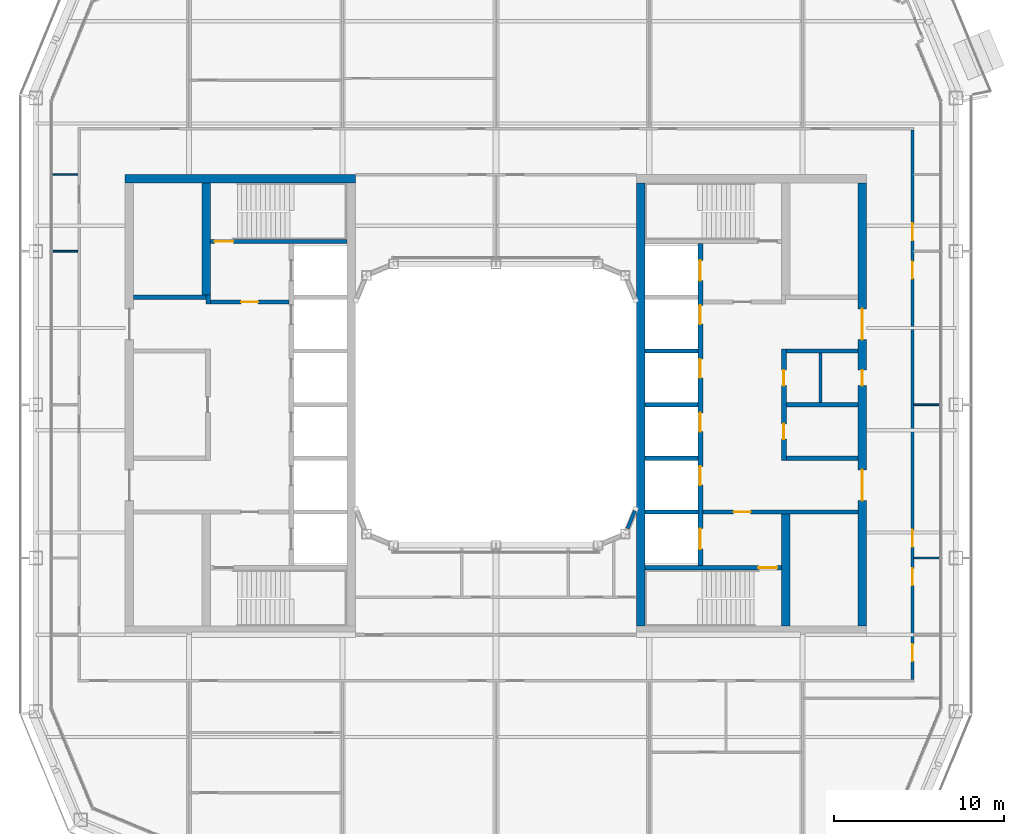
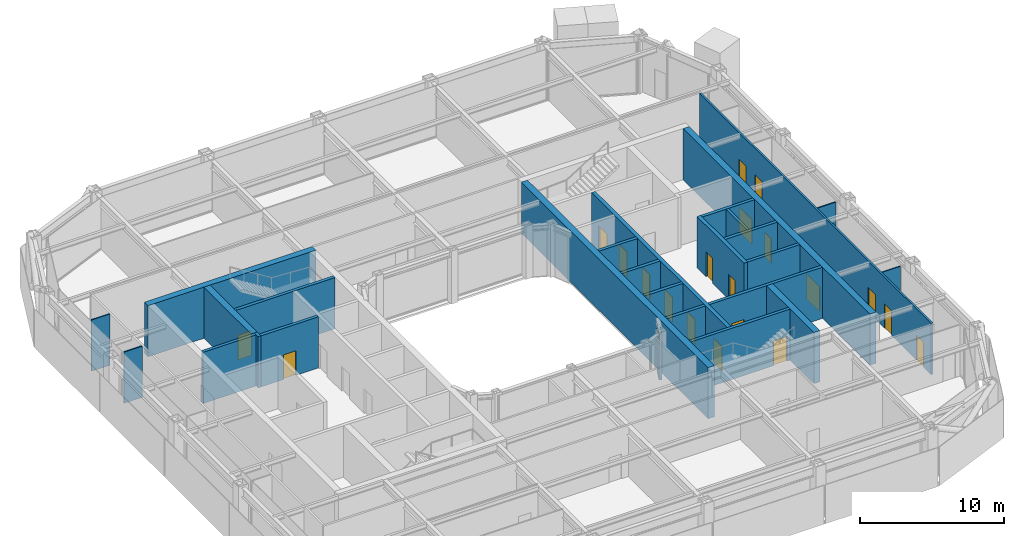
# One storey, part 14 of 23: 27 walls, 20 doors, 20 openings.
"""IFC4 building model written with IfcOpenShell, lengths in metres."""

from ifc_helpers import new_model, si_unit, direction, frame, frame_2d, origin, place, context, subcontext, project, spatial, rectangle, extrude, material, layer, layer_set, type_object, element, fill, save


model = new_model("IFC4")

# Units and contexts
model_context = context("Model", 3, precision=1e-05, world=origin(), true_north=direction((0.0, 1.0)))
body_context = subcontext(model_context, "Body", "Model", "MODEL_VIEW")
ifc_project = project(units=[si_unit("LENGTHUNIT", "METRE"), si_unit("AREAUNIT", "SQUARE_METRE"), si_unit("VOLUMEUNIT", "CUBIC_METRE"), si_unit("PLANEANGLEUNIT", "RADIAN"), si_unit("MASSUNIT", "GRAM", prefix="KILO")], contexts=[model_context])

# Site, building, storey
site_placement = place(None, origin())
site = spatial("IfcSite", under=ifc_project, at=site_placement, CompositionType="ELEMENT")
building_placement = place(site_placement, origin())
building = spatial("IfcBuilding", under=site, at=building_placement, Name="Siwar Civic Tower", CompositionType="ELEMENT")
storey_placement = place(building_placement, frame((0.0, 0.0, 260.199951171875)))
storey = spatial("IfcBuildingStorey", under=building, at=storey_placement, Name="L56", CompositionType="ELEMENT", Elevation=260.199951171875)

# Wall
ifc_material_1 = material(Name="Gypsum board on steel studs", Category="steel")
ifc_layer_1 = layer(ifc_material_1, 0.199951171875)
ifc_layer_set_1 = layer_set([ifc_layer_1], Name="Gypsum board on steel studs")
wall_type_1 = type_object("IfcWallType", Name="CORE-PARTITION-200", PredefinedType="PARTITIONING", material=ifc_layer_set_1)
wall_1_placement = place(storey_placement, frame((19.050048828125, 0.125, 0.0), z_axis=(0.0, 0.0, 1.0), x_axis=(0.0, 1.0, 0.0)))
element("IfcWall", 1, at=wall_1_placement, inside=storey, type_object=wall_type_1, Name="Core partition E", PredefinedType="PARTITIONING", context=body_context, shape_type="SweptSolid", body=[
    extrude(rectangle(XDim=2.89990234375, YDim=0.199951171875, at=frame_2d((1.449951171875, 0.0))), origin(), (0.0, 0.0, 1.0), 4.35009765625),
])

# Wall, opening, door
ifc_material_2 = material(Name="Concrete C60/75", Category="concrete")
ifc_layer_2 = layer(ifc_material_2, 0.25)
ifc_layer_set_2 = layer_set([ifc_layer_2], Name="Concrete C60/75")
wall_type_2 = type_object("IfcWallType", Name="CORE-WALL-RC250", PredefinedType="SHEAR", material=ifc_layer_set_2)
wall_2_placement = place(storey_placement, frame((-12.14990234375, 6.02490234375, 0.0), z_axis=(0.0, 0.0, 1.0), x_axis=(-1.0, 0.0, 0.0)))
wall_2 = element("IfcWall", 2, at=wall_2_placement, inside=storey, type_object=wall_type_2, Name="Core wall W", PredefinedType="SHEAR", context=body_context, shape_type="SweptSolid", body=[
    extrude(rectangle(XDim=4.60009765625, YDim=0.25, at=frame_2d((2.300048828125, 0.0))), origin(), (0.0, 0.0, 1.0), 4.35009765625),
])
opening_1_placement = place(wall_2_placement, frame((1.800048828125, 0.0, 0.0)))
opening_1 = element("IfcOpeningElement", 3, at=opening_1_placement, cuts=wall_2, Name="Opening L56-CW01", PredefinedType="OPENING", context=body_context, shape_type="SweptSolid", body=[
    extrude(rectangle(XDim=1.0, YDim=2.10009765625, at=frame_2d((0.5, 1.050048828125))), frame((0.0, 0.135009765625, 0.0), z_axis=(0.0, -1.0, 0.0), x_axis=(1.0, 0.0, 0.0)), (0.0, 0.0, 1.0), 0.27001953125),
])
ifc_material_3 = material(Name="Steel door leaf", Category="steel")
door_type_1 = type_object("IfcDoorType", Name="CORE-DOOR-FD30S", OperationType="SINGLE_SWING_LEFT", PredefinedType="DOOR", material=ifc_material_3)
door_1_placement = place(opening_1_placement, origin())
door_1 = element("IfcDoor", 4, at=door_1_placement, inside=storey, type_object=door_type_1, Name="Firefighting lobby door L56-CW01", OperationType="SINGLE_SWING_LEFT", OverallHeight=2.10009765625, OverallWidth=1.0, PredefinedType="DOOR", context=body_context, shape_type="SweptSolid", body=[
    extrude(rectangle(XDim=1.0, YDim=2.10009765625, at=frame_2d((0.5, 1.050048828125))), frame((0.0, 0.02490234375, 0.0), z_axis=(0.0, -1.0, 0.0), x_axis=(1.0, 0.0, 0.0)), (0.0, 0.0, 1.0), 0.050048828125),
])
fill(opening_1, door_1)

# Walls
wall_3_placement = place(storey_placement, frame((-16.875, 5.89990234375, 0.0), z_axis=(0.0, 0.0, 1.0), x_axis=(0.0, 1.0, 0.0)))
element("IfcWall", 5, at=wall_3_placement, inside=storey, type_object=wall_type_2, Name="Core wall W", PredefinedType="SHEAR", context=body_context, shape_type="SweptSolid", body=[
    extrude(rectangle(XDim=0.525146484375, YDim=0.25, at=frame_2d((0.2626953125, 0.0))), origin(), (0.0, 0.0, 1.0), 4.35009765625),
])
wall_4_placement = place(storey_placement, frame((-17.0, 6.300048828125, 0.0), z_axis=(0.0, 0.0, 1.0), x_axis=(-1.0, 0.0, 0.0)))
element("IfcWall", 6, at=wall_4_placement, inside=storey, type_object=wall_type_2, Name="Core wall W", PredefinedType="SHEAR", context=body_context, shape_type="SweptSolid", body=[
    extrude(rectangle(XDim=4.25, YDim=0.25, at=frame_2d((2.125, 0.0))), origin(), (0.0, 0.0, 1.0), 4.35009765625),
])

# Wall, opening, door
wall_5_placement = place(storey_placement, frame((-8.75, 9.574951171875, 0.0), z_axis=(0.0, 0.0, 1.0), x_axis=(-1.0, 0.0, 0.0)))
wall_5 = element("IfcWall", 7, at=wall_5_placement, inside=storey, type_object=wall_type_2, Name="Core wall W", PredefinedType="SHEAR", context=body_context, shape_type="SweptSolid", body=[
    extrude(rectangle(XDim=8.0, YDim=0.25, at=frame_2d((4.0, 0.0))), origin(), (0.0, 0.0, 1.0), 4.35009765625),
])
opening_2_placement = place(wall_5_placement, frame((6.64990234375, 0.0, 0.0)))
opening_2 = element("IfcOpeningElement", 8, at=opening_2_placement, cuts=wall_5, Name="Opening L56-CW03", PredefinedType="OPENING", context=body_context, shape_type="SweptSolid", body=[
    extrude(rectangle(XDim=1.10009765625, YDim=2.10009765625, at=frame_2d((0.550048828125, 1.050048828125))), frame((0.0, 0.135009765625, 0.0), z_axis=(0.0, -1.0, 0.0), x_axis=(1.0, 0.0, 0.0)), (0.0, 0.0, 1.0), 0.27001953125),
])
ifc_material_4 = material(Name="Steel door leaf", Category="steel")
door_type_2 = type_object("IfcDoorType", Name="CORE-DOOR-FD60S", OperationType="SINGLE_SWING_LEFT", PredefinedType="DOOR", material=ifc_material_4)
door_2_placement = place(opening_2_placement, origin())
door_2 = element("IfcDoor", 9, at=door_2_placement, inside=storey, type_object=door_type_2, Name="Stair door L56-CW03", OperationType="SINGLE_SWING_RIGHT", OverallHeight=2.10009765625, OverallWidth=1.10009765625, PredefinedType="DOOR", context=body_context, shape_type="SweptSolid", body=[
    extrude(rectangle(XDim=1.10009765625, YDim=2.10009765625, at=frame_2d((0.550048828125, 1.050048828125))), frame((0.0, 0.02490234375, 0.0), z_axis=(0.0, -1.0, 0.0), x_axis=(1.0, 0.0, 0.0)), (0.0, 0.0, 1.0), 0.050048828125),
])
fill(opening_2, door_2)

wall_6_placement = place(storey_placement, frame((12.14990234375, -6.300048828125, 0.0), z_axis=(0.0, 0.0, 1.0), x_axis=(1.0, 0.0, 0.0)))
wall_6 = element("IfcWall", 10, at=wall_6_placement, inside=storey, type_object=wall_type_2, Name="Core wall E", PredefinedType="SHEAR", context=body_context, shape_type="SweptSolid", body=[
    extrude(rectangle(XDim=9.10009765625, YDim=0.25, at=frame_2d((4.550048828125, 0.0))), origin(), (0.0, 0.0, 1.0), 4.35009765625),
])
opening_3_placement = place(wall_6_placement, frame((1.800048828125, 0.0, 0.0)))
opening_3 = element("IfcOpeningElement", 11, at=opening_3_placement, cuts=wall_6, Name="Opening L56-CE02", PredefinedType="OPENING", context=body_context, shape_type="SweptSolid", body=[
    extrude(rectangle(XDim=1.0, YDim=2.10009765625, at=frame_2d((0.5, 1.050048828125))), frame((0.0, 0.135009765625, 0.0), z_axis=(0.0, -1.0, 0.0), x_axis=(1.0, 0.0, 0.0)), (0.0, 0.0, 1.0), 0.27001953125),
])
door_3_placement = place(opening_3_placement, origin())
door_3 = element("IfcDoor", 12, at=door_3_placement, inside=storey, type_object=door_type_1, Name="Service lobby door L56-CE02", OperationType="SINGLE_SWING_LEFT", OverallHeight=2.10009765625, OverallWidth=1.0, PredefinedType="DOOR", context=body_context, shape_type="SweptSolid", body=[
    extrude(rectangle(XDim=1.0, YDim=2.10009765625, at=frame_2d((0.5, 1.050048828125))), frame((0.0, 0.02490234375, 0.0), z_axis=(0.0, -1.0, 0.0), x_axis=(1.0, 0.0, 0.0)), (0.0, 0.0, 1.0), 0.050048828125),
])
fill(opening_3, door_3)

# Walls
for number, where, z_axis, x_axis, name in (
    (13, (17.050048828125, 0.0, 0.0), (0.0, 0.0, 1.0), (1.0, 0.0, 0.0), "Core wall E"),
    (14, (17.050048828125, 3.14990234375, 0.0), (0.0, 0.0, 1.0), (1.0, 0.0, 0.0), "Core wall E"),
    (15, (17.050048828125, -3.14990234375, 0.0), (0.0, 0.0, 1.0), (1.0, 0.0, 0.0), "Core wall E"),
):
    element("IfcWall", number, at=place(storey_placement, frame(where, z_axis=z_axis, x_axis=x_axis)), inside=storey, type_object=wall_type_2, Name=name, PredefinedType="SHEAR", context=body_context, shape_type="SweptSolid", body=[
        extrude(rectangle(XDim=4.199951171875, YDim=0.25, at=frame_2d((2.10009765625, 0.0))), origin(), (0.0, 0.0, 1.0), 4.35009765625),
    ])
for number, where, z_axis, x_axis, name in (
    (16, (8.75, 0.0, 0.0), (0.0, 0.0, 1.0), (1.0, 0.0, 0.0), "Core wall E"),
    (17, (8.75, 3.14990234375, 0.0), (0.0, 0.0, 1.0), (1.0, 0.0, 0.0), "Core wall E"),
    (18, (8.75, -3.14990234375, 0.0), (0.0, 0.0, 1.0), (1.0, 0.0, 0.0), "Core wall E"),
    (19, (8.75, -6.300048828125, 0.0), (0.0, 0.0, 1.0), (1.0, 0.0, 0.0), "Core wall E"),
):
    element("IfcWall", number, at=place(storey_placement, frame(where, z_axis=z_axis, x_axis=x_axis)), inside=storey, type_object=wall_type_2, Name=name, PredefinedType="SHEAR", context=body_context, shape_type="SweptSolid", body=[
        extrude(rectangle(XDim=3.10009765625, YDim=0.25, at=frame_2d((1.550048828125, 0.0))), origin(), (0.0, 0.0, 1.0), 4.35009765625),
    ])

# Wall, opening, door
wall_7_placement = place(storey_placement, frame((8.75, -9.574951171875, 0.0), z_axis=(0.0, 0.0, 1.0), x_axis=(1.0, 0.0, 0.0)))
wall_7 = element("IfcWall", 20, at=wall_7_placement, inside=storey, type_object=wall_type_2, Name="Core wall E", PredefinedType="SHEAR", context=body_context, shape_type="SweptSolid", body=[
    extrude(rectangle(XDim=8.0, YDim=0.25, at=frame_2d((4.0, 0.0))), origin(), (0.0, 0.0, 1.0), 4.35009765625),
])
opening_4_placement = place(wall_7_placement, frame((6.64990234375, 0.0, 0.0)))
opening_4 = element("IfcOpeningElement", 21, at=opening_4_placement, cuts=wall_7, Name="Opening L56-CE04", PredefinedType="OPENING", context=body_context, shape_type="SweptSolid", body=[
    extrude(rectangle(XDim=1.10009765625, YDim=2.10009765625, at=frame_2d((0.550048828125, 1.050048828125))), frame((0.0, 0.135009765625, 0.0), z_axis=(0.0, -1.0, 0.0), x_axis=(1.0, 0.0, 0.0)), (0.0, 0.0, 1.0), 0.27001953125),
])
door_4_placement = place(opening_4_placement, origin())
door_4 = element("IfcDoor", 22, at=door_4_placement, inside=storey, type_object=door_type_2, Name="Stair door L56-CE04", OperationType="SINGLE_SWING_RIGHT", OverallHeight=2.10009765625, OverallWidth=1.10009765625, PredefinedType="DOOR", context=body_context, shape_type="SweptSolid", body=[
    extrude(rectangle(XDim=1.10009765625, YDim=2.10009765625, at=frame_2d((0.550048828125, 1.050048828125))), frame((0.0, 0.02490234375, 0.0), z_axis=(0.0, -1.0, 0.0), x_axis=(1.0, 0.0, 0.0)), (0.0, 0.0, 1.0), 0.050048828125),
])
fill(opening_4, door_4)

# Wall, openings, doors
ifc_material_5 = material(Name="Concrete C60/75", Category="concrete")
ifc_layer_3 = layer(ifc_material_5, 0.300048828125)
ifc_layer_set_3 = layer_set([ifc_layer_3], Name="Concrete C60/75")
wall_type_3 = type_object("IfcWallType", Name="CORE-WALL-RC300", PredefinedType="SHEAR", material=ifc_layer_set_3)
wall_8_placement = place(storey_placement, frame((12.0, -9.449951171875, 0.0), z_axis=(0.0, 0.0, 1.0), x_axis=(0.0, 1.0, 0.0)))
wall_8 = element("IfcWall", 23, at=wall_8_placement, inside=storey, type_object=wall_type_3, Name="Core wall E", PredefinedType="SHEAR", context=body_context, shape_type="SweptSolid", body=[
    extrude(rectangle(XDim=18.89990234375, YDim=0.300048828125, at=frame_2d((9.449951171875, 0.0))), origin(), (0.0, 0.0, 1.0), 4.35009765625),
])
opening_5_placement = place(wall_8_placement, frame((4.72509765625, 0.0, 0.0)))
opening_5 = element("IfcOpeningElement", 24, at=opening_5_placement, cuts=wall_8, Name="Opening L56-CE07", PredefinedType="OPENING", context=body_context, shape_type="SweptSolid", body=[
    extrude(rectangle(XDim=1.10009765625, YDim=2.10009765625, at=frame_2d((0.550048828125, 1.050048828125))), frame((0.0, 0.16015625, 0.0), z_axis=(0.0, -1.0, 0.0), x_axis=(1.0, 0.0, 0.0)), (0.0, 0.0, 1.0), 0.320068359375),
])
opening_6_placement = place(wall_8_placement, frame((7.875, 0.0, 0.0)))
opening_6 = element("IfcOpeningElement", 25, at=opening_6_placement, cuts=wall_8, Name="Opening L56-CE08", PredefinedType="OPENING", context=body_context, shape_type="SweptSolid", body=[
    extrude(rectangle(XDim=1.10009765625, YDim=2.10009765625, at=frame_2d((0.550048828125, 1.050048828125))), frame((0.0, 0.16015625, 0.0), z_axis=(0.0, -1.0, 0.0), x_axis=(1.0, 0.0, 0.0)), (0.0, 0.0, 1.0), 0.320068359375),
])
opening_7_placement = place(wall_8_placement, frame((11.02490234375, 0.0, 0.0)))
opening_7 = element("IfcOpeningElement", 26, at=opening_7_placement, cuts=wall_8, Name="Opening L56-CE09", PredefinedType="OPENING", context=body_context, shape_type="SweptSolid", body=[
    extrude(rectangle(XDim=1.10009765625, YDim=2.10009765625, at=frame_2d((0.550048828125, 1.050048828125))), frame((0.0, 0.16015625, 0.0), z_axis=(0.0, -1.0, 0.0), x_axis=(1.0, 0.0, 0.0)), (0.0, 0.0, 1.0), 0.320068359375),
])
opening_8_placement = place(wall_8_placement, frame((14.175048828125, 0.0, 0.0)))
opening_8 = element("IfcOpeningElement", 27, at=opening_8_placement, cuts=wall_8, Name="Opening L56-CE10", PredefinedType="OPENING", context=body_context, shape_type="SweptSolid", body=[
    extrude(rectangle(XDim=1.10009765625, YDim=2.10009765625, at=frame_2d((0.550048828125, 1.050048828125))), frame((0.0, 0.16015625, 0.0), z_axis=(0.0, -1.0, 0.0), x_axis=(1.0, 0.0, 0.0)), (0.0, 0.0, 1.0), 0.320068359375),
])
opening_9_placement = place(wall_8_placement, frame((16.72509765625, 0.0, 0.0)))
opening_9 = element("IfcOpeningElement", 28, at=opening_9_placement, cuts=wall_8, Name="Opening L56-CE11", PredefinedType="OPENING", context=body_context, shape_type="SweptSolid", body=[
    extrude(rectangle(XDim=1.199951171875, YDim=2.10009765625, at=frame_2d((0.60009765625, 1.050048828125))), frame((0.0, 0.16015625, 0.0), z_axis=(0.0, -1.0, 0.0), x_axis=(1.0, 0.0, 0.0)), (0.0, 0.0, 1.0), 0.320068359375),
])
opening_10_placement = place(wall_8_placement, frame((0.97509765625, 0.0, 0.0)))
opening_10 = element("IfcOpeningElement", 29, at=opening_10_placement, cuts=wall_8, Name="Opening L56-CE12", PredefinedType="OPENING", context=body_context, shape_type="SweptSolid", body=[
    extrude(rectangle(XDim=1.199951171875, YDim=2.10009765625, at=frame_2d((0.60009765625, 1.050048828125))), frame((0.0, 0.16015625, 0.0), z_axis=(0.0, -1.0, 0.0), x_axis=(1.0, 0.0, 0.0)), (0.0, 0.0, 1.0), 0.320068359375),
])
ifc_material_6 = material(Name="Steel door leaf", Category="steel")
door_type_3 = type_object("IfcDoorType", Name="CORE-DOOR-LD", OperationType="DOUBLE_DOOR_SLIDING", PredefinedType="DOOR", material=ifc_material_6)
door_5_placement = place(opening_5_placement, origin())
door_5 = element("IfcDoor", 30, at=door_5_placement, inside=storey, type_object=door_type_3, Name="Landing door HR5 L56-CE07", OperationType="DOUBLE_DOOR_SLIDING", OverallHeight=2.10009765625, OverallWidth=1.10009765625, PredefinedType="DOOR", context=body_context, shape_type="SweptSolid", body=[
    extrude(rectangle(XDim=1.10009765625, YDim=2.10009765625, at=frame_2d((0.550048828125, 1.050048828125))), frame((0.0, 0.02490234375, 0.0), z_axis=(0.0, -1.0, 0.0), x_axis=(1.0, 0.0, 0.0)), (0.0, 0.0, 1.0), 0.050048828125),
])
fill(opening_5, door_5)
door_6_placement = place(opening_6_placement, origin())
door_6 = element("IfcDoor", 31, at=door_6_placement, inside=storey, type_object=door_type_3, Name="Landing door HR6 L56-CE08", OperationType="DOUBLE_DOOR_SLIDING", OverallHeight=2.10009765625, OverallWidth=1.10009765625, PredefinedType="DOOR", context=body_context, shape_type="SweptSolid", body=[
    extrude(rectangle(XDim=1.10009765625, YDim=2.10009765625, at=frame_2d((0.550048828125, 1.050048828125))), frame((0.0, 0.02490234375, 0.0), z_axis=(0.0, -1.0, 0.0), x_axis=(1.0, 0.0, 0.0)), (0.0, 0.0, 1.0), 0.050048828125),
])
fill(opening_6, door_6)
door_7_placement = place(opening_7_placement, origin())
door_7 = element("IfcDoor", 32, at=door_7_placement, inside=storey, type_object=door_type_3, Name="Landing door HR7 L56-CE09", OperationType="DOUBLE_DOOR_SLIDING", OverallHeight=2.10009765625, OverallWidth=1.10009765625, PredefinedType="DOOR", context=body_context, shape_type="SweptSolid", body=[
    extrude(rectangle(XDim=1.10009765625, YDim=2.10009765625, at=frame_2d((0.550048828125, 1.050048828125))), frame((0.0, 0.02490234375, 0.0), z_axis=(0.0, -1.0, 0.0), x_axis=(1.0, 0.0, 0.0)), (0.0, 0.0, 1.0), 0.050048828125),
])
fill(opening_7, door_7)
door_8_placement = place(opening_8_placement, origin())
door_8 = element("IfcDoor", 33, at=door_8_placement, inside=storey, type_object=door_type_3, Name="Landing door HR8 L56-CE10", OperationType="DOUBLE_DOOR_SLIDING", OverallHeight=2.10009765625, OverallWidth=1.10009765625, PredefinedType="DOOR", context=body_context, shape_type="SweptSolid", body=[
    extrude(rectangle(XDim=1.10009765625, YDim=2.10009765625, at=frame_2d((0.550048828125, 1.050048828125))), frame((0.0, 0.02490234375, 0.0), z_axis=(0.0, -1.0, 0.0), x_axis=(1.0, 0.0, 0.0)), (0.0, 0.0, 1.0), 0.050048828125),
])
fill(opening_8, door_8)
ifc_material_7 = material(Name="Steel door leaf", Category="steel")
door_type_4 = type_object("IfcDoorType", Name="CORE-DOOR-LDW", OperationType="DOUBLE_DOOR_SLIDING", PredefinedType="DOOR", material=ifc_material_7)
door_9_placement = place(opening_9_placement, origin())
door_9 = element("IfcDoor", 34, at=door_9_placement, inside=storey, type_object=door_type_4, Name="Landing door FF2 L56-CE11", OperationType="DOUBLE_DOOR_SLIDING", OverallHeight=2.10009765625, OverallWidth=1.199951171875, PredefinedType="DOOR", context=body_context, shape_type="SweptSolid", body=[
    extrude(rectangle(XDim=1.199951171875, YDim=2.10009765625, at=frame_2d((0.60009765625, 1.050048828125))), frame((0.0, 0.02490234375, 0.0), z_axis=(0.0, -1.0, 0.0), x_axis=(1.0, 0.0, 0.0)), (0.0, 0.0, 1.0), 0.050048828125),
])
fill(opening_9, door_9)
door_10_placement = place(opening_10_placement, origin())
door_10 = element("IfcDoor", 35, at=door_10_placement, inside=storey, type_object=door_type_4, Name="Landing door SV2 L56-CE12", OperationType="DOUBLE_DOOR_SLIDING", OverallHeight=2.10009765625, OverallWidth=1.199951171875, PredefinedType="DOOR", context=body_context, shape_type="SweptSolid", body=[
    extrude(rectangle(XDim=1.199951171875, YDim=2.10009765625, at=frame_2d((0.60009765625, 1.050048828125))), frame((0.0, 0.02490234375, 0.0), z_axis=(0.0, -1.0, 0.0), x_axis=(1.0, 0.0, 0.0)), (0.0, 0.0, 1.0), 0.050048828125),
])
fill(opening_10, door_10)

wall_9_placement = place(storey_placement, frame((16.89990234375, -3.27490234375, 0.0), z_axis=(0.0, 0.0, 1.0), x_axis=(0.0, 1.0, 0.0)))
wall_9 = element("IfcWall", 36, at=wall_9_placement, inside=storey, type_object=wall_type_3, Name="Core wall E", PredefinedType="SHEAR", context=body_context, shape_type="SweptSolid", body=[
    extrude(rectangle(XDim=6.5498046875, YDim=0.300048828125, at=frame_2d((3.27490234375, 0.0))), origin(), (0.0, 0.0, 1.0), 4.35009765625),
])
opening_11_placement = place(wall_9_placement, frame((1.25, 0.0, 0.0)))
opening_11 = element("IfcOpeningElement", 37, at=opening_11_placement, cuts=wall_9, Name="Opening L56-CE13", PredefinedType="OPENING", context=body_context, shape_type="SweptSolid", body=[
    extrude(rectangle(XDim=0.89990234375, YDim=2.10009765625, at=frame_2d((0.449951171875, 1.050048828125))), frame((0.0, 0.16015625, 0.0), z_axis=(0.0, -1.0, 0.0), x_axis=(1.0, 0.0, 0.0)), (0.0, 0.0, 1.0), 0.320068359375),
])
opening_12_placement = place(wall_9_placement, frame((4.39990234375, 0.0, 0.0)))
opening_12 = element("IfcOpeningElement", 38, at=opening_12_placement, cuts=wall_9, Name="Opening L56-CE14", PredefinedType="OPENING", context=body_context, shape_type="SweptSolid", body=[
    extrude(rectangle(XDim=0.89990234375, YDim=2.10009765625, at=frame_2d((0.449951171875, 1.050048828125))), frame((0.0, 0.16015625, 0.0), z_axis=(0.0, -1.0, 0.0), x_axis=(1.0, 0.0, 0.0)), (0.0, 0.0, 1.0), 0.320068359375),
])
ifc_material_8 = material(Name="Steel door leaf", Category="steel")
door_type_5 = type_object("IfcDoorType", Name="CORE-DOOR-ROOM", OperationType="SINGLE_SWING_LEFT", PredefinedType="DOOR", material=ifc_material_8)
door_11_placement = place(opening_11_placement, origin())
door_11 = element("IfcDoor", 39, at=door_11_placement, inside=storey, type_object=door_type_5, Name="Core room door L56-CE13", OperationType="SINGLE_SWING_RIGHT", OverallHeight=2.10009765625, OverallWidth=0.89990234375, PredefinedType="DOOR", context=body_context, shape_type="SweptSolid", body=[
    extrude(rectangle(XDim=0.89990234375, YDim=2.10009765625, at=frame_2d((0.449951171875, 1.050048828125))), frame((0.0, 0.02490234375, 0.0), z_axis=(0.0, -1.0, 0.0), x_axis=(1.0, 0.0, 0.0)), (0.0, 0.0, 1.0), 0.050048828125),
])
fill(opening_11, door_11)
door_12_placement = place(opening_12_placement, origin())
door_12 = element("IfcDoor", 40, at=door_12_placement, inside=storey, type_object=door_type_5, Name="Core room door L56-CE14", OperationType="SINGLE_SWING_LEFT", OverallHeight=2.10009765625, OverallWidth=0.89990234375, PredefinedType="DOOR", context=body_context, shape_type="SweptSolid", body=[
    extrude(rectangle(XDim=0.89990234375, YDim=2.10009765625, at=frame_2d((0.449951171875, 1.050048828125))), frame((0.0, 0.02490234375, 0.0), z_axis=(0.0, -1.0, 0.0), x_axis=(1.0, 0.0, 0.0)), (0.0, 0.0, 1.0), 0.050048828125),
])
fill(opening_12, door_12)

# Walls
ifc_material_9 = material(Name="Concrete C60/75", Category="concrete")
ifc_layer_4 = layer(ifc_material_9, 0.5)
ifc_layer_set_4 = layer_set([ifc_layer_4], Name="Concrete C60/75")
wall_type_4 = type_object("IfcWallType", Name="CORE-WALL-RC500", PredefinedType="SHEAR", material=ifc_layer_set_4)
wall_10_placement = place(storey_placement, frame((-17.0, 6.425048828125, 0.0), z_axis=(0.0, 0.0, 1.0), x_axis=(0.0, 1.0, 0.0)))
element("IfcWall", 41, at=wall_10_placement, inside=storey, type_object=wall_type_4, Name="Core wall W", PredefinedType="SHEAR", context=body_context, shape_type="SweptSolid", body=[
    extrude(rectangle(XDim=6.574951171875, YDim=0.5, at=frame_2d((3.28759765625, 0.0))), origin(), (0.0, 0.0, 1.0), 4.35009765625),
])
wall_11_placement = place(storey_placement, frame((-8.25, 13.25, 0.0), z_axis=(0.0, 0.0, 1.0), x_axis=(-1.0, 0.0, 0.0)))
element("IfcWall", 42, at=wall_11_placement, inside=storey, type_object=wall_type_4, Name="Core wall W", PredefinedType="SHEAR", context=body_context, shape_type="SweptSolid", body=[
    extrude(rectangle(XDim=13.5, YDim=0.5, at=frame_2d((6.75, 0.0))), origin(), (0.0, 0.0, 1.0), 4.35009765625),
])

# Wall, openings, doors
wall_12_placement = place(storey_placement, frame((21.5, -13.0, 0.0), z_axis=(0.0, 0.0, 1.0), x_axis=(0.0, 1.0, 0.0)))
wall_12 = element("IfcWall", 43, at=wall_12_placement, inside=storey, type_object=wall_type_4, Name="Core wall E", PredefinedType="SHEAR", context=body_context, shape_type="SweptSolid", body=[
    extrude(rectangle(XDim=26.0, YDim=0.5, at=frame_2d((13.0, 0.0))), origin(), (0.0, 0.0, 1.0), 4.35009765625),
])
opening_13_placement = place(wall_12_placement, frame((16.824951171875, 0.0, 0.0)))
opening_13 = element("IfcOpeningElement", 44, at=opening_13_placement, cuts=wall_12, Name="Opening L56-CE05", PredefinedType="OPENING", context=body_context, shape_type="SweptSolid", body=[
    extrude(rectangle(XDim=1.800048828125, YDim=2.10009765625, at=frame_2d((0.89990234375, 1.050048828125))), frame((0.0, 0.260009765625, 0.0), z_axis=(0.0, -1.0, 0.0), x_axis=(1.0, 0.0, 0.0)), (0.0, 0.0, 1.0), 0.52001953125),
])
opening_14_placement = place(wall_12_placement, frame((7.375, 0.0, 0.0)))
opening_14 = element("IfcOpeningElement", 45, at=opening_14_placement, cuts=wall_12, Name="Opening L56-CE06", PredefinedType="OPENING", context=body_context, shape_type="SweptSolid", body=[
    extrude(rectangle(XDim=1.800048828125, YDim=2.10009765625, at=frame_2d((0.89990234375, 1.050048828125))), frame((0.0, 0.260009765625, 0.0), z_axis=(0.0, -1.0, 0.0), x_axis=(1.0, 0.0, 0.0)), (0.0, 0.0, 1.0), 0.52001953125),
])
opening_15_placement = place(wall_12_placement, frame((14.125, 0.0, 0.0)))
opening_15 = element("IfcOpeningElement", 46, at=opening_15_placement, cuts=wall_12, Name="Opening L56-CE15", PredefinedType="OPENING", context=body_context, shape_type="SweptSolid", body=[
    extrude(rectangle(XDim=0.89990234375, YDim=2.10009765625, at=frame_2d((0.449951171875, 1.050048828125))), frame((0.0, 0.260009765625, 0.0), z_axis=(0.0, -1.0, 0.0), x_axis=(1.0, 0.0, 0.0)), (0.0, 0.0, 1.0), 0.52001953125),
])
ifc_material_10 = material(Name="Steel door leaf", Category="steel")
door_type_6 = type_object("IfcDoorType", Name="CORE-DOOR-PORT", OperationType="DOUBLE_DOOR_DOUBLE_SWING", PredefinedType="DOOR", material=ifc_material_10)
door_13_placement = place(opening_13_placement, origin())
door_13 = element("IfcDoor", 47, at=door_13_placement, inside=storey, type_object=door_type_6, Name="Core entrance door L56-CE05", OperationType="DOUBLE_DOOR_DOUBLE_SWING", OverallHeight=2.10009765625, OverallWidth=1.800048828125, PredefinedType="DOOR", context=body_context, shape_type="SweptSolid", body=[
    extrude(rectangle(XDim=1.800048828125, YDim=2.10009765625, at=frame_2d((0.89990234375, 1.050048828125))), frame((0.0, 0.02490234375, 0.0), z_axis=(0.0, -1.0, 0.0), x_axis=(1.0, 0.0, 0.0)), (0.0, 0.0, 1.0), 0.050048828125),
])
fill(opening_13, door_13)
door_14_placement = place(opening_14_placement, origin())
door_14 = element("IfcDoor", 48, at=door_14_placement, inside=storey, type_object=door_type_6, Name="Core entrance door L56-CE06", OperationType="DOUBLE_DOOR_DOUBLE_SWING", OverallHeight=2.10009765625, OverallWidth=1.800048828125, PredefinedType="DOOR", context=body_context, shape_type="SweptSolid", body=[
    extrude(rectangle(XDim=1.800048828125, YDim=2.10009765625, at=frame_2d((0.89990234375, 1.050048828125))), frame((0.0, 0.02490234375, 0.0), z_axis=(0.0, -1.0, 0.0), x_axis=(1.0, 0.0, 0.0)), (0.0, 0.0, 1.0), 0.050048828125),
])
fill(opening_14, door_14)
door_15_placement = place(opening_15_placement, origin())
door_15 = element("IfcDoor", 49, at=door_15_placement, inside=storey, type_object=door_type_5, Name="Core room door L56-CE15", OperationType="SINGLE_SWING_RIGHT", OverallHeight=2.10009765625, OverallWidth=0.89990234375, PredefinedType="DOOR", context=body_context, shape_type="SweptSolid", body=[
    extrude(rectangle(XDim=0.89990234375, YDim=2.10009765625, at=frame_2d((0.449951171875, 1.050048828125))), frame((0.0, 0.02490234375, 0.0), z_axis=(0.0, -1.0, 0.0), x_axis=(1.0, 0.0, 0.0)), (0.0, 0.0, 1.0), 0.050048828125),
])
fill(opening_15, door_15)

# Walls
wall_13_placement = place(storey_placement, frame((17.0, -13.0, 0.0), z_axis=(0.0, 0.0, 1.0), x_axis=(0.0, 1.0, 0.0)))
element("IfcWall", 50, at=wall_13_placement, inside=storey, type_object=wall_type_4, Name="Core wall E", PredefinedType="SHEAR", context=body_context, shape_type="SweptSolid", body=[
    extrude(rectangle(XDim=6.574951171875, YDim=0.5, at=frame_2d((3.28759765625, 0.0))), origin(), (0.0, 0.0, 1.0), 4.35009765625),
])
ifc_material_11 = material(Name="Concrete C60/75", Category="concrete")
ifc_layer_5 = layer(ifc_material_11, 0.5)
ifc_layer_set_5 = layer_set([ifc_layer_5], Name="Concrete C60/75")
wall_type_5 = type_object("IfcWallType", Name="CORE-WALL-RC500-EXT", PredefinedType="SHEAR", material=ifc_layer_set_5)
wall_14_placement = place(storey_placement, frame((8.5, -13.0, 0.0), z_axis=(0.0, 0.0, 1.0), x_axis=(0.0, 1.0, 0.0)))
element("IfcWall", 51, at=wall_14_placement, inside=storey, type_object=wall_type_5, Name="Core wall E", PredefinedType="SHEAR", context=body_context, shape_type="SweptSolid", body=[
    extrude(rectangle(XDim=26.0, YDim=0.5, at=frame_2d((13.0, 0.0))), origin(), (0.0, 0.0, 1.0), 4.35009765625),
])

# Wall, openings, doors
ifc_material_12 = material(Name="Gypsum board on steel studs", Category="steel")
ifc_layer_6 = layer(ifc_material_12, 0.14990234375)
ifc_layer_set_6 = layer_set([ifc_layer_6], Name="Gypsum board on steel studs")
wall_type_6 = type_object("IfcWallType", Name="CORRIDOR PARTITION 150 EI 30", PredefinedType="PARTITIONING", material=ifc_layer_set_6)
wall_15_placement = place(storey_placement, frame((24.449951171875, -16.125, 0.0), z_axis=(0.0, 0.0, 1.0), x_axis=(0.0, 1.0, 0.0)))
wall_15 = element("IfcWall", 52, at=wall_15_placement, inside=storey, type_object=wall_type_6, Name="L56/wall/P39", PredefinedType="PARTITIONING", context=body_context, shape_type="SweptSolid", body=[
    extrude(rectangle(XDim=32.25, YDim=0.14990234375, at=frame_2d((16.125, 0.0))), origin(), (0.0, 0.0, 1.0), 4.35009765625),
])
opening_16_placement = place(wall_15_placement, frame((1.074951171875, 0.0, 0.0)))
opening_16 = element("IfcOpeningElement", 53, at=opening_16_placement, cuts=wall_15, Name="Opening D1", PredefinedType="OPENING", context=body_context, shape_type="SweptSolid", body=[
    extrude(rectangle(XDim=1.0, YDim=2.10009765625, at=frame_2d((0.5, 1.050048828125))), frame((0.0, 0.0849609375, 0.0), z_axis=(0.0, -1.0, 0.0), x_axis=(1.0, 0.0, 0.0)), (0.0, 0.0, 1.0), 0.169921875),
])
opening_17_placement = place(wall_15_placement, frame((5.52490234375, 0.0, 0.0)))
opening_17 = element("IfcOpeningElement", 54, at=opening_17_placement, cuts=wall_15, Name="Opening D1", PredefinedType="OPENING", context=body_context, shape_type="SweptSolid", body=[
    extrude(rectangle(XDim=1.0, YDim=2.10009765625, at=frame_2d((0.5, 1.050048828125))), frame((0.0, 0.0849609375, 0.0), z_axis=(0.0, -1.0, 0.0), x_axis=(1.0, 0.0, 0.0)), (0.0, 0.0, 1.0), 0.169921875),
])
opening_18_placement = place(wall_15_placement, frame((7.77490234375, 0.0, 0.0)))
opening_18 = element("IfcOpeningElement", 55, at=opening_18_placement, cuts=wall_15, Name="Opening D1", PredefinedType="OPENING", context=body_context, shape_type="SweptSolid", body=[
    extrude(rectangle(XDim=1.0, YDim=2.10009765625, at=frame_2d((0.5, 1.050048828125))), frame((0.0, 0.0849609375, 0.0), z_axis=(0.0, -1.0, 0.0), x_axis=(1.0, 0.0, 0.0)), (0.0, 0.0, 1.0), 0.169921875),
])
opening_19_placement = place(wall_15_placement, frame((23.52490234375, 0.0, 0.0)))
opening_19 = element("IfcOpeningElement", 56, at=opening_19_placement, cuts=wall_15, Name="Opening D1", PredefinedType="OPENING", context=body_context, shape_type="SweptSolid", body=[
    extrude(rectangle(XDim=1.0, YDim=2.10009765625, at=frame_2d((0.5, 1.050048828125))), frame((0.0, 0.0849609375, 0.0), z_axis=(0.0, -1.0, 0.0), x_axis=(1.0, 0.0, 0.0)), (0.0, 0.0, 1.0), 0.169921875),
])
opening_20_placement = place(wall_15_placement, frame((25.77490234375, 0.0, 0.0)))
opening_20 = element("IfcOpeningElement", 57, at=opening_20_placement, cuts=wall_15, Name="Opening D1", PredefinedType="OPENING", context=body_context, shape_type="SweptSolid", body=[
    extrude(rectangle(XDim=1.0, YDim=2.10009765625, at=frame_2d((0.5, 1.050048828125))), frame((0.0, 0.0849609375, 0.0), z_axis=(0.0, -1.0, 0.0), x_axis=(1.0, 0.0, 0.0)), (0.0, 0.0, 1.0), 0.169921875),
])
ifc_material_13 = material(Name="Timber, painted", Category="wood")
door_type_7 = type_object("IfcDoorType", Name="DOOR 1000 X 2100 FD30", OperationType="SINGLE_SWING_LEFT", PredefinedType="DOOR", material=ifc_material_13)
door_16_placement = place(opening_16_placement, origin())
door_16 = element("IfcDoor", 58, at=door_16_placement, inside=storey, type_object=door_type_7, Name="L56-D18", OperationType="SINGLE_SWING_RIGHT", OverallHeight=2.10009765625, OverallWidth=1.0, PredefinedType="DOOR", context=body_context, shape_type="SweptSolid", body=[
    extrude(rectangle(XDim=1.0, YDim=2.10009765625, at=frame_2d((0.5, 1.050048828125))), frame((0.0, 0.02490234375, 0.0), z_axis=(0.0, -1.0, 0.0), x_axis=(1.0, 0.0, 0.0)), (0.0, 0.0, 1.0), 0.050048828125),
])
fill(opening_16, door_16)
door_17_placement = place(opening_17_placement, origin())
door_17 = element("IfcDoor", 59, at=door_17_placement, inside=storey, type_object=door_type_7, Name="L56-D24", OperationType="SINGLE_SWING_RIGHT", OverallHeight=2.10009765625, OverallWidth=1.0, PredefinedType="DOOR", context=body_context, shape_type="SweptSolid", body=[
    extrude(rectangle(XDim=1.0, YDim=2.10009765625, at=frame_2d((0.5, 1.050048828125))), frame((0.0, 0.02490234375, 0.0), z_axis=(0.0, -1.0, 0.0), x_axis=(1.0, 0.0, 0.0)), (0.0, 0.0, 1.0), 0.050048828125),
])
fill(opening_17, door_17)
door_18_placement = place(opening_18_placement, origin())
door_18 = element("IfcDoor", 60, at=door_18_placement, inside=storey, type_object=door_type_7, Name="L56-D25", OperationType="SINGLE_SWING_LEFT", OverallHeight=2.10009765625, OverallWidth=1.0, PredefinedType="DOOR", context=body_context, shape_type="SweptSolid", body=[
    extrude(rectangle(XDim=1.0, YDim=2.10009765625, at=frame_2d((0.5, 1.050048828125))), frame((0.0, 0.02490234375, 0.0), z_axis=(0.0, -1.0, 0.0), x_axis=(1.0, 0.0, 0.0)), (0.0, 0.0, 1.0), 0.050048828125),
])
fill(opening_18, door_18)
door_19_placement = place(opening_19_placement, origin())
door_19 = element("IfcDoor", 61, at=door_19_placement, inside=storey, type_object=door_type_7, Name="L56-D26", OperationType="SINGLE_SWING_RIGHT", OverallHeight=2.10009765625, OverallWidth=1.0, PredefinedType="DOOR", context=body_context, shape_type="SweptSolid", body=[
    extrude(rectangle(XDim=1.0, YDim=2.10009765625, at=frame_2d((0.5, 1.050048828125))), frame((0.0, 0.02490234375, 0.0), z_axis=(0.0, -1.0, 0.0), x_axis=(1.0, 0.0, 0.0)), (0.0, 0.0, 1.0), 0.050048828125),
])
fill(opening_19, door_19)
door_20_placement = place(opening_20_placement, origin())
door_20 = element("IfcDoor", 62, at=door_20_placement, inside=storey, type_object=door_type_7, Name="L56-D27", OperationType="SINGLE_SWING_LEFT", OverallHeight=2.10009765625, OverallWidth=1.0, PredefinedType="DOOR", context=body_context, shape_type="SweptSolid", body=[
    extrude(rectangle(XDim=1.0, YDim=2.10009765625, at=frame_2d((0.5, 1.050048828125))), frame((0.0, 0.02490234375, 0.0), z_axis=(0.0, -1.0, 0.0), x_axis=(1.0, 0.0, 0.0)), (0.0, 0.0, 1.0), 0.050048828125),
])
fill(opening_20, door_20)

# Walls
ifc_material_14 = material(Name="Aluminium clad insulated panel", Category="aluminium")
ifc_layer_7 = layer(ifc_material_14, 0.199951171875)
ifc_layer_set_7 = layer_set([ifc_layer_7], Name="Aluminium clad insulated panel")
wall_type_7 = type_object("IfcWallType", Name="ENV-WALL-WELL", PredefinedType="STANDARD", material=ifc_layer_set_7)
wall_16_placement = place(storey_placement, frame((7.728515625, -7.259033203125, 0.0), z_axis=(0.0, 0.0, 1.0), x_axis=(0.382635994082, 0.923899180665, 0.0)))
element("IfcWall", 63, at=wall_16_placement, inside=storey, type_object=wall_type_7, Name="Light well corner wall SE2", PredefinedType="STANDARD", context=body_context, shape_type="SweptSolid", body=[
    extrude(rectangle(XDim=1.11279296875, YDim=0.199951171875, at=frame_2d((0.556396484375, 0.0))), origin(), (0.0, 0.0, 1.0), 3.91796875),
])
ifc_material_15 = material(Name="Gypsum board on steel studs", Category="steel")
ifc_layer_8 = layer(ifc_material_15, 0.10009765625)
ifc_layer_set_8 = layer_set([ifc_layer_8], Name="Gypsum board on steel studs")
wall_type_8 = type_object("IfcWallType", Name="PARTITION 100 GYPSUM", PredefinedType="PARTITIONING", material=ifc_layer_set_8)
for number, where, z_axis, x_axis, name in (
    (64, (24.52490234375, -9.0, 0.0), (0.0, 0.0, 1.0), (1.0, 0.0, 0.0), "L56/wall/P12"),
    (65, (24.52490234375, 0.0, 0.0), (0.0, 0.0, 1.0), (1.0, 0.0, 0.0), "L56/wall/P14"),
    (66, (-26.010009765625, 9.0, 0.0), (0.0, 0.0, 1.0), (1.0, 0.0, 0.0), "L56/wall/P15"),
    (67, (-26.010009765625, 13.5, 0.0), (0.0, 0.0, 1.0), (1.0, 0.0, 0.0), "L56/wall/P17"),
):
    element("IfcWall", number, at=place(storey_placement, frame(where, z_axis=z_axis, x_axis=x_axis)), inside=storey, type_object=wall_type_8, Name=name, PredefinedType="PARTITIONING", context=body_context, shape_type="SweptSolid", body=[
        extrude(rectangle(XDim=1.485107421875, YDim=0.10009765625, at=frame_2d((0.74267578125, 0.0))), origin(), (0.0, 0.0, 1.0), 4.35009765625),
    ])

save(model, "model.ifc")
